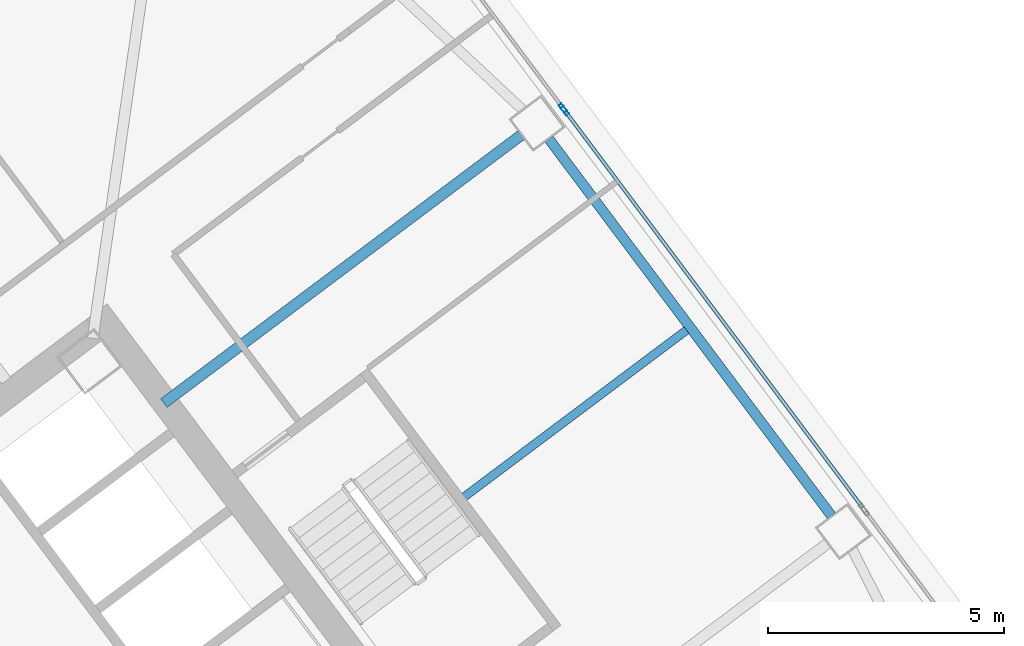
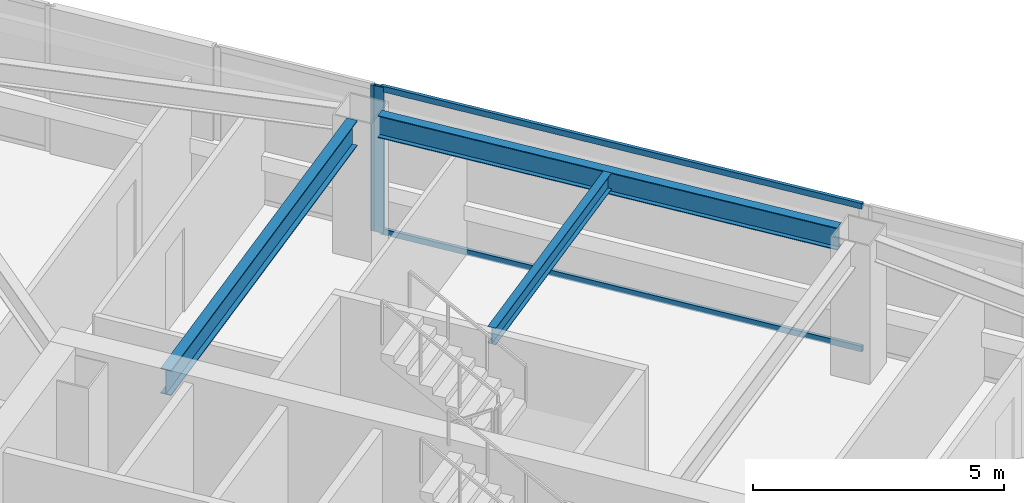
# One storey, part 32 of 46: 4 members, 3 beams, 2 elements without a shape of their own.
"""IFC4 building model written with IfcOpenShell, lengths in metres."""

import ifcopenshell
import ifcopenshell.guid

model = None  # the IFC model being written
_history = None  # IfcOwnerHistory: only IFC2X3 demands one
_inside = {}  # id of a spatial element -> (the spatial element, [elements in it])
_under = {}  # id of a project, library or spatial element -> (it, [spatial elements below it])
_declared = {}  # id of a project -> (the project, [libraries it declares])
_typed = {}  # id of a type object -> (the type object, [elements of that type])
_made_of = {}  # id of a material, layer set ... -> (it, [elements and type objects made of it])


def new_model(schema):
    """Start an empty IFC model of exactly this schema.

    Asked for "IFC4X3", IfcOpenShell would pick the latest addendum, in which some entities
    have other attributes; the version numbers below select the first issue.
    IFC2X3 requires an IfcOwnerHistory on every rooted entity: one is made here for all.
    """
    global model, _history
    if schema == "IFC4X3":
        model = ifcopenshell.file(schema_version=(4, 3, 0, 0))
    else:
        model = ifcopenshell.file(schema=schema)
    _inside.clear()
    _under.clear()
    _declared.clear()
    _typed.clear()
    _made_of.clear()
    _history = None
    if model.schema == "IFC2X3":
        org = make("IfcOrganization", Name="unknown")
        user = make(
            "IfcPersonAndOrganization",
            ThePerson=make("IfcPerson", FamilyName="unknown"),
            TheOrganization=org,
        )
        app = make(
            "IfcApplication",
            ApplicationDeveloper=org,
            Version="unknown",
            ApplicationFullName="unknown",
            ApplicationIdentifier="unknown",
        )
        _history = make(
            "IfcOwnerHistory",
            OwningUser=user,
            OwningApplication=app,
            ChangeAction="ADDED",
            CreationDate=0,
        )
    return model


def make(cls, **values):
    """One entity of the class cls with the attributes given. An attribute that is None is left unset."""
    return model.create_entity(
        cls, **{name: value for name, value in values.items() if value is not None}
    )


def rooted(cls, **values):
    """An entity with a GlobalId (a new one), such as an element, a storey or a relation."""
    return make(cls, GlobalId=ifcopenshell.guid.new(), OwnerHistory=_history, **values)


def si_unit(unit_type, name, prefix=None):
    """IfcSIUnit, for example si_unit("LENGTHUNIT", "METRE", prefix="MILLI")."""
    return make("IfcSIUnit", UnitType=unit_type, Prefix=prefix, Name=name)


def assignment(units):
    """IfcUnitAssignment: the units of a project."""
    return None if units is None else make("IfcUnitAssignment", Units=units)


def point(xyz):
    """IfcCartesianPoint."""
    return None if xyz is None else make("IfcCartesianPoint", Coordinates=xyz)


def direction(xyz):
    """IfcDirection."""
    return None if xyz is None else make("IfcDirection", DirectionRatios=xyz)


def frame(location, z_axis=None, x_axis=None):
    """IfcAxis2Placement3D, a coordinate frame: its origin and axes. An axis left out is left unset."""
    return make(
        "IfcAxis2Placement3D",
        Location=point(location),
        Axis=direction(z_axis),
        RefDirection=direction(x_axis),
    )


def frame_2d(location, x_axis=None):
    """IfcAxis2Placement2D, a coordinate frame in the plane: its origin and x axis."""
    return make(
        "IfcAxis2Placement2D", Location=point(location), RefDirection=direction(x_axis)
    )


def origin():
    """The frame at (0, 0, 0) with its axes left unset."""
    return frame((0.0, 0.0, 0.0))


def origin_2d():
    """The frame at (0, 0) in the plane with its x axis left unset."""
    return frame_2d((0.0, 0.0))


def place(relative_to, where):
    """IfcLocalPlacement: puts the frame where relative to a parent placement (None: the world)."""
    return make(
        "IfcLocalPlacement", PlacementRelTo=relative_to, RelativePlacement=where
    )


def context(
    kind, dimensions, precision=None, world=None, true_north=None, identifier=None
):
    """IfcGeometricRepresentationContext, for example the 3D "Model" context."""
    return make(
        "IfcGeometricRepresentationContext",
        ContextIdentifier=identifier,
        ContextType=kind,
        CoordinateSpaceDimension=dimensions,
        Precision=precision,
        WorldCoordinateSystem=world,
        TrueNorth=true_north,
    )


def subcontext(parent, identifier, kind, view, scale=None):
    """IfcGeometricRepresentationSubContext, for example "Body" below "Model"."""
    return make(
        "IfcGeometricRepresentationSubContext",
        ContextIdentifier=identifier,
        ContextType=kind,
        ParentContext=parent,
        TargetScale=scale,
        TargetView=view,
    )


def project(units=None, contexts=None):
    """IfcProject with its units and contexts."""
    return rooted(
        "IfcProject",
        Name="project",
        RepresentationContexts=contexts,
        UnitsInContext=assignment(units),
    )


def spatial(cls, under=None, at=None, **own):
    """A site, building, storey or space (cls), placed at a placement, below another one or the project."""
    s = rooted(cls, ObjectPlacement=at, **own)
    if under is not None:
        _under.setdefault(under.id(), (under, []))[1].append(s)
    return s


def profile(cls, at=None, kind="AREA", **sizes):
    """A parametric profile (cls). Its sizes go by their IFC names, for example OverallWidth=200.0."""
    return make(cls, ProfileType=kind, Position=at, **sizes)


def hollow_rectangle(**sizes):
    """IfcRectangleHollowProfileDef."""
    return profile("IfcRectangleHollowProfileDef", **sizes)


def i_section(**sizes):
    """IfcIShapeProfileDef."""
    return profile("IfcIShapeProfileDef", **sizes)


def extrude(swept, where, along, depth):
    """IfcExtrudedAreaSolid: the profile swept, set in the frame where, extruded along a direction by depth."""
    return make(
        "IfcExtrudedAreaSolid",
        SweptArea=swept,
        Position=where,
        ExtrudedDirection=direction(along),
        Depth=depth,
    )


def shape(context_of_items, identifier, shape_type, items):
    """IfcShapeRepresentation: the items that make up one representation, for example the "Body"."""
    return make(
        "IfcShapeRepresentation",
        ContextOfItems=context_of_items,
        RepresentationIdentifier=identifier,
        RepresentationType=shape_type,
        Items=items,
    )


def material(Name=None, Category=None):
    """IfcMaterial."""
    return make("IfcMaterial", Name=Name, Category=Category)


def material_profile(
    of_material, cross_section, Name=None, Category=None, Priority=None
):
    """IfcMaterialProfile: a cross section and its material."""
    return make(
        "IfcMaterialProfile",
        Name=Name,
        Material=of_material,
        Profile=cross_section,
        Priority=Priority,
        Category=Category,
    )


def profile_set(profiles, Name=None, composite=None):
    """IfcMaterialProfileSet."""
    return make(
        "IfcMaterialProfileSet",
        Name=Name,
        MaterialProfiles=profiles,
        CompositeProfile=composite,
    )


def made_of(thing, what):
    """Note that an element or type object is made of a material, layer set ...; save() writes the relation."""
    if what is not None:
        _made_of.setdefault(what.id(), (what, []))[1].append(thing)
    return thing


def type_object(cls, material=None, **own):
    """A type object (cls), such as IfcWallType, which elements share."""
    return made_of(rooted(cls, **own), material)


def element(
    cls,
    number,
    at=None,
    inside=None,
    cuts=None,
    type_object=None,
    material=None,
    context=None,
    identifier="Body",
    shape_type=None,
    held_by="IfcProductDefinitionShape",
    body=None,
    shapes=None,
    **own,
):
    """One element of the class cls, such as IfcWall. Its Tag is "e" and its number.

    at: its placement. inside: the storey or other place that contains it. cuts: it is an
    opening in that element (IfcRelVoidsElement). A single representation is given by context,
    identifier, shape_type and body (its items); several are given by shapes. held_by: the class
    of the entity that holds the representations. save() writes the other relations.
    """
    e = rooted(cls, Tag="e%d" % number, ObjectPlacement=at, **own)
    if body is not None:
        shapes = [shape(context, identifier, shape_type, body)]
    if shapes is not None:
        e.Representation = make(held_by, Representations=shapes)
    if inside is not None:
        _inside.setdefault(inside.id(), (inside, []))[1].append(e)
    if cuts is not None:
        rooted(
            "IfcRelVoidsElement", RelatingBuildingElement=cuts, RelatedOpeningElement=e
        )
    if type_object is not None:
        _typed.setdefault(type_object.id(), (type_object, []))[1].append(e)
    return made_of(e, material)


def aggregate(whole, parts):
    """IfcRelAggregates: a whole, such as a stair, and the parts it consists of."""
    return rooted("IfcRelAggregates", RelatingObject=whole, RelatedObjects=parts)


def save(model, path):
    """Write the relations noted so far, then the file.

    IfcRelAggregates (storeys below a building ...), IfcRelContainedInSpatialStructure (elements
    in a storey), IfcRelDefinesByType, IfcRelAssociatesMaterial and IfcRelDeclares: one each for
    every whole, place, type object, material and project.
    """
    for whole, parts in _under.values():
        aggregate(whole, parts)
    for where, things in _inside.values():
        rooted(
            "IfcRelContainedInSpatialStructure",
            RelatedElements=things,
            RelatingStructure=where,
        )
    for kind, things in _typed.values():
        rooted("IfcRelDefinesByType", RelatedObjects=things, RelatingType=kind)
    for what, things in _made_of.values():
        rooted("IfcRelAssociatesMaterial", RelatedObjects=things, RelatingMaterial=what)
    for by, libraries in _declared.values():
        rooted("IfcRelDeclares", RelatingContext=by, RelatedDefinitions=libraries)
    model.write(path)


model = new_model("IFC4")

# Units and contexts
model_context = context("Model", 3, precision=1e-05, world=origin(), true_north=direction((0.0, 1.0)))
body_context = subcontext(model_context, "Body", "Model", "MODEL_VIEW")
ifc_project = project(units=[si_unit("LENGTHUNIT", "METRE"), si_unit("AREAUNIT", "SQUARE_METRE"), si_unit("VOLUMEUNIT", "CUBIC_METRE"), si_unit("PLANEANGLEUNIT", "RADIAN"), si_unit("MASSUNIT", "GRAM", prefix="KILO")], contexts=[model_context])

# Site, building, storey
site_placement = place(None, origin())
site = spatial("IfcSite", under=ifc_project, at=site_placement, CompositionType="ELEMENT")
building_placement = place(site_placement, origin())
building = spatial("IfcBuilding", under=site, at=building_placement, Name="Tashvorn Skyway Center", CompositionType="ELEMENT")
storey_placement = place(building_placement, frame((0.0, 0.0, 139.25)))
storey = spatial("IfcBuildingStorey", under=building, at=storey_placement, Name="L37", CompositionType="ELEMENT", Elevation=139.25)

# Beams
ifc_material_1 = material(Name="Steel ASTM A992 Grade 50", Category="steel")
ifc_material_profile_1 = material_profile(ifc_material_1, i_section(OverallWidth=0.22998046875, OverallDepth=0.616943359375, WebThickness=0.01318359375, FlangeThickness=0.022216796875, at=origin_2d()), Name="W24X94")
ifc_profile_set_1 = profile_set([ifc_material_profile_1], Name="Steel ASTM A992 Grade 50")
beam_type_1 = type_object("IfcBeamType", Name="BM-BEAM-W24X94", PredefinedType="BEAM", material=ifc_profile_set_1)
beam_1_placement = place(storey_placement, frame((124.5439453125, 46.657958984375, 3.0615234375), z_axis=(-0.800006200354, -0.599991732772, 0.0), x_axis=(0.599991732772, -0.800006200354, 0.0)))
element("IfcBeam", 1, at=beam_1_placement, inside=storey, type_object=beam_type_1, Name="Tower 2 L37 Primary Floor Girder FC-E2", PredefinedType="BEAM", context=body_context, shape_type="SweptSolid", body=[
    extrude(i_section(OverallWidth=0.22998046875, OverallDepth=0.616943359375, WebThickness=0.01318359375, FlangeThickness=0.022216796875, at=origin_2d()), origin(), (0.0, 0.0, 1.0), 9.449951171875),
])
ifc_material_profile_2 = material_profile(ifc_material_1, i_section(OverallWidth=0.177978515625, OverallDepth=0.406005859375, WebThickness=0.0078125, FlangeThickness=0.0126953125, at=origin_2d()), Name="W16X40")
ifc_profile_set_2 = profile_set([ifc_material_profile_2], Name="Steel ASTM A992 Grade 50")
beam_type_2 = type_object("IfcBeamType", Name="BM-JOIST-W16X40", PredefinedType="JOIST", material=ifc_profile_set_2)
beam_2_placement = place(storey_placement, frame((123.3359375, 39.001953125, 3.1669921875), z_axis=(0.8, 0.6, 0.0), x_axis=(-0.6, 0.8, 0.0)))
element("IfcBeam", 2, at=beam_2_placement, inside=storey, type_object=beam_type_2, Name="Tower 2 L37 Secondary Composite Joist JE", PredefinedType="JOIST", context=body_context, shape_type="SweptSolid", body=[
    extrude(i_section(OverallWidth=0.177978515625, OverallDepth=0.406005859375, WebThickness=0.0078125, FlangeThickness=0.0126953125, at=origin_2d()), origin(), (0.0, 0.0, 1.0), 5.882568359375),
])
ifc_material_profile_3 = material_profile(ifc_material_1, i_section(OverallWidth=0.2109375, OverallDepth=0.5390625, WebThickness=0.01171875, FlangeThickness=0.018798828125, at=origin_2d()), Name="W21X73")
ifc_profile_set_3 = profile_set([ifc_material_profile_3], Name="Steel ASTM A992 Grade 50")
beam_type_3 = type_object("IfcBeamType", Name="BM-SPANDREL-W21X73", PredefinedType="SPANDREL", material=ifc_profile_set_3)
beam_3_placement = place(storey_placement, frame((131.10791015625, 38.60595703125, 3.1005859375), z_axis=(-0.599988234018, 0.800008824351, 0.0), x_axis=(-0.800008824351, -0.599988234018, 0.0)))
element("IfcBeam", 3, at=beam_3_placement, inside=storey, type_object=beam_type_3, Name="Tower 2 L37 Spandrel Beam 05", PredefinedType="SPANDREL", context=body_context, shape_type="SweptSolid", body=[
    extrude(i_section(OverallWidth=0.2109375, OverallDepth=0.5390625, WebThickness=0.01171875, FlangeThickness=0.018798828125, at=origin_2d()), origin(), (0.0, 0.0, 1.0), 9.9599609375),
])

# Curtain wall, member
ifc_material_2 = material(Name="Thermally broken bronze-anodized aluminium 6063-T6", Category="aluminium")
curtain_wall_type = type_object("IfcCurtainWallType", Name="CW-CW-Z3", PredefinedType="NOTDEFINED", material=ifc_material_2)
curtain_wall_1_placement = place(storey_placement, origin())
curtain_wall_1 = element("IfcCurtainWall", 4, at=curtain_wall_1_placement, inside=storey, type_object=curtain_wall_type, Name="Tower 2 L37 East Unitised Curtain Wall Glazing Group 2", PredefinedType="NOTDEFINED")
ifc_material_profile_4 = material_profile(ifc_material_2, hollow_rectangle(XDim=0.074951171875, YDim=0.199951171875, WallThickness=0.00439453125, at=origin_2d()), Name="ALU-MULL-75x200")
ifc_profile_set_4 = profile_set([ifc_material_profile_4], Name="Thermally broken bronze-anodized aluminium 6063-T6")
member_type_1 = type_object("IfcMemberType", Name="CWM-CW-Z3", PredefinedType="MULLION", material=ifc_profile_set_4)
member_1_placement = place(storey_placement, frame((125.425537109375, 47.232666015625, 0.0), z_axis=(0.0, 0.0, 1.0), x_axis=(0.800003400519, 0.599995465948, 0.0)))
member_1 = element("IfcMember", 5, at=member_1_placement, type_object=member_type_1, Name="CW-Z3 mullion 2", PredefinedType="MULLION", context=body_context, shape_type="SweptSolid", body=[
    extrude(hollow_rectangle(XDim=0.074951171875, YDim=0.199951171875, WallThickness=0.00439453125, at=origin_2d()), origin(), (0.0, 0.0, 1.0), 3.550048828125),
])
aggregate(curtain_wall_1, [member_1])

# Curtain wall, members
curtain_wall_2_placement = place(storey_placement, origin())
curtain_wall_2 = element("IfcCurtainWall", 6, at=curtain_wall_2_placement, inside=storey, type_object=curtain_wall_type, Name="Tower 2 L37 East Unitised Curtain Wall Glazing Group 3", PredefinedType="NOTDEFINED")
member_2_placement = place(storey_placement, frame((125.470458984375, 47.172607421875, 0.0), z_axis=(0.0, 0.0, 1.0), x_axis=(0.800002266987, 0.599996977339, 0.0)))
member_2 = element("IfcMember", 7, at=member_2_placement, type_object=member_type_1, Name="CW-Z3 mullion 1", PredefinedType="MULLION", context=body_context, shape_type="SweptSolid", body=[
    extrude(hollow_rectangle(XDim=0.074951171875, YDim=0.199951171875, WallThickness=0.00439453125, at=origin_2d()), origin(), (0.0, 0.0, 1.0), 3.550048828125),
])
ifc_material_profile_5 = material_profile(ifc_material_2, hollow_rectangle(XDim=0.074951171875, YDim=0.139892578125, WallThickness=0.004150390625, at=origin_2d()), Name="ALU-TRAN-75x140")
ifc_profile_set_5 = profile_set([ifc_material_profile_5], Name="Thermally broken bronze-anodized aluminium 6063-T6")
member_type_2 = type_object("IfcMemberType", Name="CWT-CW-Z3", PredefinedType="USERDEFINED", material=ifc_profile_set_5)
member_3_placement = place(storey_placement, frame((125.492919921875, 47.142578125, 0.03759765625), z_axis=(0.599996257181, -0.800002807101, 0.0), x_axis=(0.800002807101, 0.599996257181, 0.0)))
member_3 = element("IfcMember", 8, at=member_3_placement, type_object=member_type_2, Name="CW-Z3 transom 1.1", ObjectType="TRANSOM", PredefinedType="USERDEFINED", context=body_context, shape_type="SweptSolid", body=[
    extrude(hollow_rectangle(XDim=0.074951171875, YDim=0.139892578125, WallThickness=0.004150390625, at=origin_2d()), origin(), (0.0, 0.0, 1.0), 10.436767578125),
])
member_4_placement = place(storey_placement, frame((125.492919921875, 47.142578125, 3.512451171875), z_axis=(0.599996257181, -0.800002807101, 0.0), x_axis=(0.800002807101, 0.599996257181, 0.0)))
member_4 = element("IfcMember", 9, at=member_4_placement, type_object=member_type_2, Name="CW-Z3 transom 1.2", ObjectType="TRANSOM", PredefinedType="USERDEFINED", context=body_context, shape_type="SweptSolid", body=[
    extrude(hollow_rectangle(XDim=0.074951171875, YDim=0.139892578125, WallThickness=0.004150390625, at=origin_2d()), origin(), (0.0, 0.0, 1.0), 10.436767578125),
])
aggregate(curtain_wall_2, [member_2, member_3, member_4])

save(model, "model.ifc")
